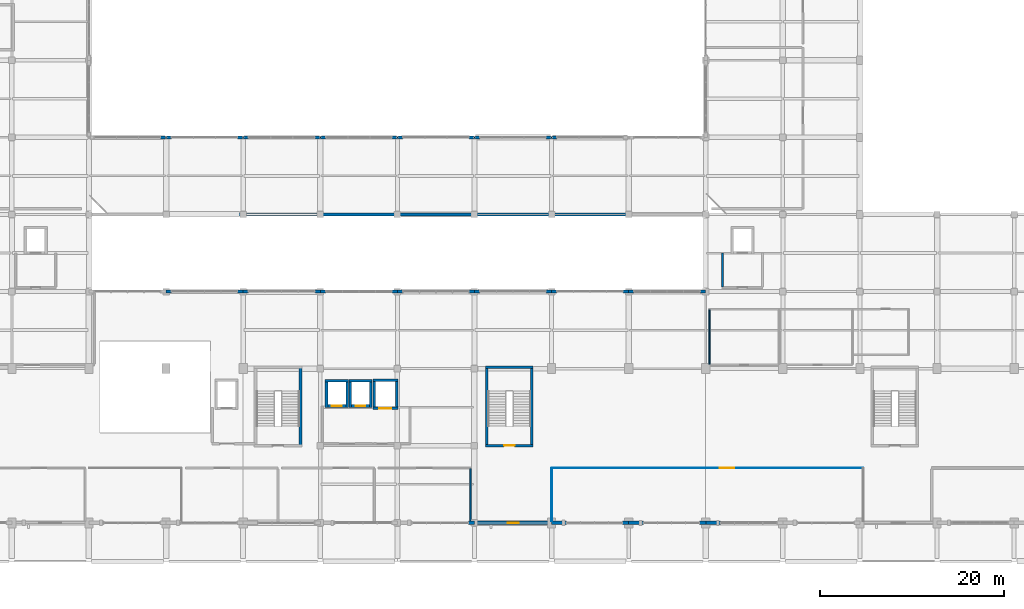
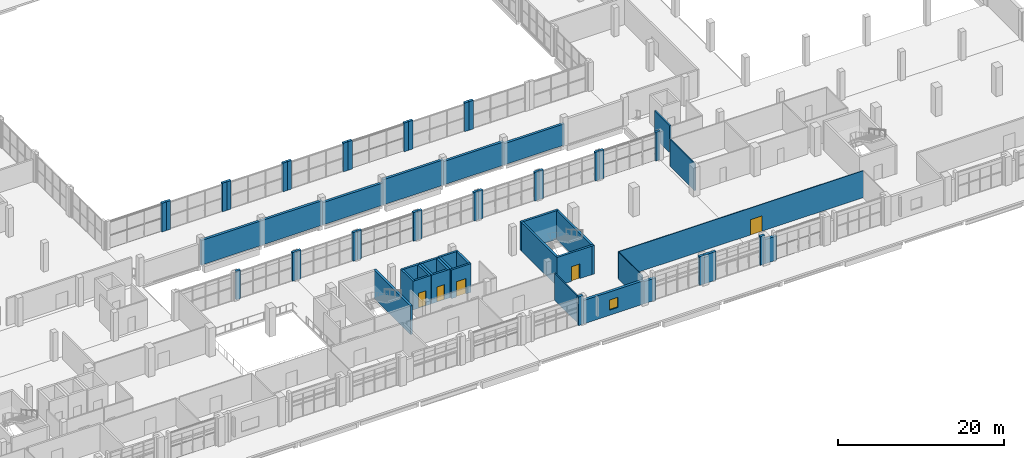
# One storey, part 49 of 59: 60 walls, 5 doors, 1 window, 6 openings.
"""IFC4 building model written with IfcOpenShell, lengths in metres."""

from ifc_helpers import new_model, si_unit, derived_unit, direction, frame, frame_2d, origin, place, context, subcontext, project, spatial, rectangle, extrude, material, layer, layer_set, type_object, element, fill, save


model = new_model("IFC4")

# Units and contexts
model_context = context("Model", 3, precision=1e-05, world=origin(), true_north=direction((0.0, 1.0)))
body_context = subcontext(model_context, "Body", "Model", "MODEL_VIEW")
ifc_project = project(units=[si_unit("LENGTHUNIT", "METRE"), si_unit("AREAUNIT", "SQUARE_METRE"), si_unit("VOLUMEUNIT", "CUBIC_METRE"), si_unit("PLANEANGLEUNIT", "RADIAN"), si_unit("MASSUNIT", "GRAM", prefix="KILO"), derived_unit("THERMALTRANSMITTANCEUNIT", [(si_unit("POWERUNIT", "WATT"), 1), (si_unit("LENGTHUNIT", "METRE"), -2), (si_unit("THERMODYNAMICTEMPERATUREUNIT", "KELVIN"), -1)])], contexts=[model_context])

# Site, building, storey
site_placement = place(None, origin())
site = spatial("IfcSite", under=ifc_project, at=site_placement, CompositionType="ELEMENT")
building_placement = place(site_placement, origin())
building = spatial("IfcBuilding", under=site, at=building_placement, Name="Barrovel Congress Hotel", CompositionType="ELEMENT")
storey_placement = place(building_placement, frame((0.0, 0.0, 9.89990234375)))
storey = spatial("IfcBuildingStorey", under=building, at=storey_placement, Name="L02", CompositionType="ELEMENT", Elevation=9.89990234375)

# Walls
ifc_material_1 = material(Name="Fired Clay Brick Masonry", Category="masonry")
ifc_layer_1 = layer(ifc_material_1, 0.340087890625)
ifc_layer_set_1 = layer_set([ifc_layer_1], Name="Fired Clay Brick Masonry")
wall_type_1 = type_object("IfcWallType", Name="EW-BRK340", PredefinedType="STANDARD", material=ifc_layer_set_1)
wall_1_placement = place(storey_placement, frame((126.0, 29.39990234375, 0.0), z_axis=(0.0, 0.0, 1.0), x_axis=(-1.0, 0.0, 0.0)))
element("IfcWall", 1, at=wall_1_placement, inside=storey, type_object=wall_type_1, Name="EW:L02:CSJ-R:14", PredefinedType="STANDARD", context=body_context, shape_type="SweptSolid", body=[
    extrude(rectangle(XDim=0.60009765625, YDim=0.340087890625, at=frame_2d((0.300048828125, 0.0))), origin(), (0.0, 0.0, 1.0), 4.2001953125),
])
wall_2_placement = place(storey_placement, frame((118.199951171875, 29.39990234375, 0.0), z_axis=(0.0, 0.0, 1.0), x_axis=(-1.0, 0.0, 0.0)))
element("IfcWall", 2, at=wall_2_placement, inside=storey, type_object=wall_type_1, Name="EW:L02:CSJ-L:14", PredefinedType="STANDARD", context=body_context, shape_type="SweptSolid", body=[
    extrude(rectangle(XDim=0.599853515625, YDim=0.340087890625, at=frame_2d((0.2998046875, 0.0))), origin(), (0.0, 0.0, 1.0), 4.2001953125),
])
for number, where, z_axis, x_axis, name in (
    (3, (117.60009765625, 29.39990234375, 0.0), (0.0, 0.0, 1.0), (-1.0, 0.0, 0.0), "EW:L02:CSJ-R:13"),
    (4, (109.800048828125, 29.39990234375, 0.0), (0.0, 0.0, 1.0), (-1.0, 0.0, 0.0), "EW:L02:CSJ-L:13"),
):
    element("IfcWall", number, at=place(storey_placement, frame(where, z_axis=z_axis, x_axis=x_axis)), inside=storey, type_object=wall_type_1, Name=name, PredefinedType="STANDARD", context=body_context, shape_type="SweptSolid", body=[
        extrude(rectangle(XDim=0.60009765625, YDim=0.340087890625, at=frame_2d((0.300048828125, 0.0))), origin(), (0.0, 0.0, 1.0), 4.2001953125),
    ])
for number, where, z_axis, x_axis, name in (
    (5, (109.199951171875, 29.39990234375, 0.0), (0.0, 0.0, 1.0), (-1.0, 0.0, 0.0), "EW:L02:CSJ-R:12"),
    (6, (101.39990234375, 29.39990234375, 0.0), (0.0, 0.0, 1.0), (-1.0, 0.0, 0.0), "EW:L02:CSJ-L:12"),
):
    element("IfcWall", number, at=place(storey_placement, frame(where, z_axis=z_axis, x_axis=x_axis)), inside=storey, type_object=wall_type_1, Name=name, PredefinedType="STANDARD", context=body_context, shape_type="SweptSolid", body=[
        extrude(rectangle(XDim=0.599853515625, YDim=0.340087890625, at=frame_2d((0.2998046875, 0.0))), origin(), (0.0, 0.0, 1.0), 4.2001953125),
    ])
for number, where, z_axis, x_axis, name in (
    (7, (100.800048828125, 29.39990234375, 0.0), (0.0, 0.0, 1.0), (-1.0, 0.0, 0.0), "EW:L02:CSJ-R:11"),
    (8, (93.0, 29.39990234375, 0.0), (0.0, 0.0, 1.0), (-1.0, 0.0, 0.0), "EW:L02:CSJ-L:11"),
):
    element("IfcWall", number, at=place(storey_placement, frame(where, z_axis=z_axis, x_axis=x_axis)), inside=storey, type_object=wall_type_1, Name=name, PredefinedType="STANDARD", context=body_context, shape_type="SweptSolid", body=[
        extrude(rectangle(XDim=0.60009765625, YDim=0.340087890625, at=frame_2d((0.300048828125, 0.0))), origin(), (0.0, 0.0, 1.0), 4.2001953125),
    ])
wall_3_placement = place(storey_placement, frame((92.39990234375, 29.39990234375, 0.0), z_axis=(0.0, 0.0, 1.0), x_axis=(-1.0, 0.0, 0.0)))
element("IfcWall", 9, at=wall_3_placement, inside=storey, type_object=wall_type_1, Name="EW:L02:CSJ-R:10", PredefinedType="STANDARD", context=body_context, shape_type="SweptSolid", body=[
    extrude(rectangle(XDim=0.599853515625, YDim=0.340087890625, at=frame_2d((0.2998046875, 0.0))), origin(), (0.0, 0.0, 1.0), 4.2001953125),
])
for number, where, z_axis, x_axis, name in (
    (10, (84.60009765625, 29.39990234375, 0.0), (0.0, 0.0, 1.0), (-1.0, 0.0, 0.0), "EW:L02:CSJ-L:10"),
    (11, (84.0, 29.39990234375, 0.0), (0.0, 0.0, 1.0), (-1.0, 0.0, 0.0), "EW:L02:CSJ-R:9"),
):
    element("IfcWall", number, at=place(storey_placement, frame(where, z_axis=z_axis, x_axis=x_axis)), inside=storey, type_object=wall_type_1, Name=name, PredefinedType="STANDARD", context=body_context, shape_type="SweptSolid", body=[
        extrude(rectangle(XDim=0.60009765625, YDim=0.340087890625, at=frame_2d((0.300048828125, 0.0))), origin(), (0.0, 0.0, 1.0), 4.2001953125),
    ])
wall_4_placement = place(storey_placement, frame((76.199951171875, 29.39990234375, 0.0), z_axis=(0.0, 0.0, 1.0), x_axis=(-1.0, 0.0, 0.0)))
element("IfcWall", 12, at=wall_4_placement, inside=storey, type_object=wall_type_1, Name="EW:L02:CSJ-L:9", PredefinedType="STANDARD", context=body_context, shape_type="SweptSolid", body=[
    extrude(rectangle(XDim=0.599853515625, YDim=0.340087890625, at=frame_2d((0.2998046875, 0.0))), origin(), (0.0, 0.0, 1.0), 4.2001953125),
])
for number, where, z_axis, x_axis, name in (
    (13, (75.60009765625, 29.39990234375, 0.0), (0.0, 0.0, 1.0), (-1.0, 0.0, 0.0), "EW:L02:CSJ-R:8"),
    (14, (67.800048828125, 29.39990234375, 0.0), (0.0, 0.0, 1.0), (-1.0, 0.0, 0.0), "EW:L02:CSJ-L:8"),
):
    element("IfcWall", number, at=place(storey_placement, frame(where, z_axis=z_axis, x_axis=x_axis)), inside=storey, type_object=wall_type_1, Name=name, PredefinedType="STANDARD", context=body_context, shape_type="SweptSolid", body=[
        extrude(rectangle(XDim=0.60009765625, YDim=0.340087890625, at=frame_2d((0.300048828125, 0.0))), origin(), (0.0, 0.0, 1.0), 4.2001953125),
    ])
wall_5_placement = place(storey_placement, frame((67.199951171875, 46.199951171875, 0.0), z_axis=(0.0, 0.0, 1.0), x_axis=(-1.0, 0.0, 0.0)))
element("IfcWall", 15, at=wall_5_placement, inside=storey, type_object=wall_type_1, Name="EW:L02:CLJ-L:7", PredefinedType="STANDARD", context=body_context, shape_type="SweptSolid", body=[
    extrude(rectangle(XDim=0.599853515625, YDim=0.340087890625, at=frame_2d((0.2998046875, 0.0))), origin(), (0.0, 0.0, 1.0), 4.2001953125),
])
for number, where, z_axis, x_axis, name in (
    (16, (75.60009765625, 46.199951171875, 0.0), (0.0, 0.0, 1.0), (-1.0, 0.0, 0.0), "EW:L02:CLJ-L:8"),
    (17, (67.800048828125, 46.199951171875, 0.0), (0.0, 0.0, 1.0), (-1.0, 0.0, 0.0), "EW:L02:CLJ-R:8"),
    (18, (84.0, 46.199951171875, 0.0), (0.0, 0.0, 1.0), (-1.0, 0.0, 0.0), "EW:L02:CLJ-L:9"),
):
    element("IfcWall", number, at=place(storey_placement, frame(where, z_axis=z_axis, x_axis=x_axis)), inside=storey, type_object=wall_type_1, Name=name, PredefinedType="STANDARD", context=body_context, shape_type="SweptSolid", body=[
        extrude(rectangle(XDim=0.60009765625, YDim=0.340087890625, at=frame_2d((0.300048828125, 0.0))), origin(), (0.0, 0.0, 1.0), 4.2001953125),
    ])
for number, where, z_axis, x_axis, name in (
    (19, (76.199951171875, 46.199951171875, 0.0), (0.0, 0.0, 1.0), (-1.0, 0.0, 0.0), "EW:L02:CLJ-R:9"),
    (20, (92.39990234375, 46.199951171875, 0.0), (0.0, 0.0, 1.0), (-1.0, 0.0, 0.0), "EW:L02:CLJ-L:10"),
):
    element("IfcWall", number, at=place(storey_placement, frame(where, z_axis=z_axis, x_axis=x_axis)), inside=storey, type_object=wall_type_1, Name=name, PredefinedType="STANDARD", context=body_context, shape_type="SweptSolid", body=[
        extrude(rectangle(XDim=0.599853515625, YDim=0.340087890625, at=frame_2d((0.2998046875, 0.0))), origin(), (0.0, 0.0, 1.0), 4.2001953125),
    ])
for number, where, z_axis, x_axis, name in (
    (21, (84.60009765625, 46.199951171875, 0.0), (0.0, 0.0, 1.0), (-1.0, 0.0, 0.0), "EW:L02:CLJ-R:10"),
    (22, (100.800048828125, 46.199951171875, 0.0), (0.0, 0.0, 1.0), (-1.0, 0.0, 0.0), "EW:L02:CLJ-L:11"),
    (23, (93.0, 46.199951171875, 0.0), (0.0, 0.0, 1.0), (-1.0, 0.0, 0.0), "EW:L02:CLJ-R:11"),
):
    element("IfcWall", number, at=place(storey_placement, frame(where, z_axis=z_axis, x_axis=x_axis)), inside=storey, type_object=wall_type_1, Name=name, PredefinedType="STANDARD", context=body_context, shape_type="SweptSolid", body=[
        extrude(rectangle(XDim=0.60009765625, YDim=0.340087890625, at=frame_2d((0.300048828125, 0.0))), origin(), (0.0, 0.0, 1.0), 4.2001953125),
    ])
for number, where, z_axis, x_axis, name in (
    (24, (109.199951171875, 46.199951171875, 0.0), (0.0, 0.0, 1.0), (-1.0, 0.0, 0.0), "EW:L02:CLJ-L:12"),
    (25, (101.39990234375, 46.199951171875, 0.0), (0.0, 0.0, 1.0), (-1.0, 0.0, 0.0), "EW:L02:CLJ-R:12"),
):
    element("IfcWall", number, at=place(storey_placement, frame(where, z_axis=z_axis, x_axis=x_axis)), inside=storey, type_object=wall_type_1, Name=name, PredefinedType="STANDARD", context=body_context, shape_type="SweptSolid", body=[
        extrude(rectangle(XDim=0.599853515625, YDim=0.340087890625, at=frame_2d((0.2998046875, 0.0))), origin(), (0.0, 0.0, 1.0), 4.2001953125),
    ])
wall_6_placement = place(storey_placement, frame((109.800048828125, 46.199951171875, 0.0), z_axis=(0.0, 0.0, 1.0), x_axis=(-1.0, 0.0, 0.0)))
element("IfcWall", 26, at=wall_6_placement, inside=storey, type_object=wall_type_1, Name="EW:L02:CLJ-R:13", PredefinedType="STANDARD", context=body_context, shape_type="SweptSolid", body=[
    extrude(rectangle(XDim=0.60009765625, YDim=0.340087890625, at=frame_2d((0.300048828125, 0.0))), origin(), (0.0, 0.0, 1.0), 4.2001953125),
])
wall_7_placement = place(storey_placement, frame((67.199951171875, 37.800048828125, 0.0), z_axis=(0.0, 0.0, 1.0), x_axis=(1.0, 0.0, 0.0)))
element("IfcWall", 27, at=wall_7_placement, inside=storey, type_object=wall_type_1, Name="EW:L02:CLS", PredefinedType="STANDARD", context=body_context, shape_type="SweptSolid", body=[
    extrude(rectangle(XDim=16.800048828125, YDim=0.340087890625, at=frame_2d((8.39990234375, 0.0))), origin(), (0.0, 0.0, 1.0), 3.606201171875),
])
wall_8_placement = place(storey_placement, frame((84.0, 37.800048828125, 0.0), z_axis=(0.0, 0.0, 1.0), x_axis=(1.0, 0.0, 0.0)))
element("IfcWall", 28, at=wall_8_placement, inside=storey, type_object=wall_type_1, Name="EW:L02:CLS:P03", PredefinedType="STANDARD", context=body_context, shape_type="SweptSolid", body=[
    extrude(rectangle(XDim=8.39990234375, YDim=0.340087890625, at=frame_2d((4.199951171875, 0.0))), origin(), (0.0, 0.0, 1.0), 3.260009765625),
])
wall_9_placement = place(storey_placement, frame((92.39990234375, 37.800048828125, 0.0), z_axis=(0.0, 0.0, 1.0), x_axis=(1.0, 0.0, 0.0)))
element("IfcWall", 29, at=wall_9_placement, inside=storey, type_object=wall_type_1, Name="EW:L02:CLS:P04", PredefinedType="STANDARD", context=body_context, shape_type="SweptSolid", body=[
    extrude(rectangle(XDim=8.400146484375, YDim=0.340087890625, at=frame_2d((4.2001953125, 0.0))), origin(), (0.0, 0.0, 1.0), 3.7060546875),
])
wall_10_placement = place(storey_placement, frame((100.800048828125, 37.800048828125, 0.0), z_axis=(0.0, 0.0, 1.0), x_axis=(1.0, 0.0, 0.0)))
element("IfcWall", 30, at=wall_10_placement, inside=storey, type_object=wall_type_1, Name="EW:L02:CLS:P05", PredefinedType="STANDARD", context=body_context, shape_type="SweptSolid", body=[
    extrude(rectangle(XDim=8.39990234375, YDim=0.340087890625, at=frame_2d((4.199951171875, 0.0))), origin(), (0.0, 0.0, 1.0), 3.427001953125),
])
wall_11_placement = place(storey_placement, frame((109.199951171875, 37.800048828125, 0.0), z_axis=(0.0, 0.0, 1.0), x_axis=(1.0, 0.0, 0.0)))
element("IfcWall", 31, at=wall_11_placement, inside=storey, type_object=wall_type_1, Name="EW:L02:CLS:P06", PredefinedType="STANDARD", context=body_context, shape_type="SweptSolid", body=[
    extrude(rectangle(XDim=8.400146484375, YDim=0.340087890625, at=frame_2d((4.2001953125, 0.0))), origin(), (0.0, 0.0, 1.0), 3.110107421875),
])
ifc_layer_2 = layer(ifc_material_1, 0.360107421875)
ifc_layer_set_2 = layer_set([ifc_layer_2], Name="Fired Clay Brick Masonry")
wall_type_2 = type_object("IfcWallType", Name="EW-BRK360", PredefinedType="STANDARD", material=ifc_layer_set_2)
wall_12_placement = place(storey_placement, frame((100.139892578125, 4.199951171875, 0.0), z_axis=(0.0, 0.0, 1.0), x_axis=(1.0, 0.0, 0.0)))
element("IfcWall", 32, at=wall_12_placement, inside=storey, type_object=wall_type_2, Name="EW:L02:SJ-R:11", PredefinedType="STANDARD", context=body_context, shape_type="SweptSolid", body=[
    extrude(rectangle(XDim=0.66015625, YDim=0.360107421875, at=frame_2d((0.330078125, 0.0))), origin(), (0.0, 0.0, 1.0), 4.2001953125),
])

# Wall, opening, window
wall_13_placement = place(storey_placement, frame((100.800048828125, 4.199951171875, 0.0), z_axis=(0.0, 0.0, 1.0), x_axis=(1.0, 0.0, 0.0)))
wall_13 = element("IfcWall", 33, at=wall_13_placement, inside=storey, type_object=wall_type_2, Name="EW:L02:S:12", PredefinedType="STANDARD", context=body_context, shape_type="SweptSolid", body=[
    extrude(rectangle(XDim=8.39990234375, YDim=0.360107421875, at=frame_2d((4.199951171875, 0.0))), origin(), (0.0, 0.0, 1.0), 3.43115234375),
])
opening_1_placement = place(wall_13_placement, frame((3.60009765625, 0.0, 0.75)))
opening_1 = element("IfcOpeningElement", 34, at=opening_1_placement, cuts=wall_13, Name="Opening WN-06", PredefinedType="OPENING", context=body_context, shape_type="SweptSolid", body=[
    extrude(rectangle(XDim=1.199951171875, YDim=1.5, at=frame_2d((0.60009765625, 0.75))), frame((0.0, 0.18994140625, 0.0), z_axis=(0.0, -1.0, 0.0), x_axis=(1.0, 0.0, 0.0)), (0.0, 0.0, 1.0), 0.380126953125),
])
ifc_material_2 = material(Name="Double Low-E Insulated Glazing", Category="glass")
window_type = type_object("IfcWindowType", Name="WIN-WN-06", PartitioningType="SINGLE_PANEL", PredefinedType="WINDOW", material=ifc_material_2)
window_placement = place(opening_1_placement, origin())
window = element("IfcWindow", 35, at=window_placement, inside=storey, type_object=window_type, Name="WIN:L02:S:12", OverallHeight=1.5, OverallWidth=1.199951171875, PartitioningType="SINGLE_PANEL", PredefinedType="WINDOW", context=body_context, shape_type="SweptSolid", body=[
    extrude(rectangle(XDim=1.199951171875, YDim=1.5, at=frame_2d((0.60009765625, 0.75))), frame((0.0, 0.030029296875, 0.0), z_axis=(0.0, -1.0, 0.0), x_axis=(1.0, 0.0, 0.0)), (0.0, 0.0, 1.0), 0.06005859375),
])
fill(opening_1, window)

# Walls
wall_14_placement = place(storey_placement, frame((109.199951171875, 4.199951171875, 0.0), z_axis=(0.0, 0.0, 1.0), x_axis=(1.0, 0.0, 0.0)))
element("IfcWall", 36, at=wall_14_placement, inside=storey, type_object=wall_type_2, Name="EW:L02:SJ-L:13", PredefinedType="STANDARD", context=body_context, shape_type="SweptSolid", body=[
    extrude(rectangle(XDim=1.6201171875, YDim=0.360107421875, at=frame_2d((0.81005859375, 0.0))), origin(), (0.0, 0.0, 1.0), 3.260009765625),
])
wall_15_placement = place(storey_placement, frame((116.93994140625, 4.199951171875, 0.0), z_axis=(0.0, 0.0, 1.0), x_axis=(1.0, 0.0, 0.0)))
element("IfcWall", 37, at=wall_15_placement, inside=storey, type_object=wall_type_2, Name="EW:L02:SJ-R:13", PredefinedType="STANDARD", context=body_context, shape_type="SweptSolid", body=[
    extrude(rectangle(XDim=0.66015625, YDim=0.360107421875, at=frame_2d((0.330078125, 0.0))), origin(), (0.0, 0.0, 1.0), 4.2001953125),
])
wall_16_placement = place(storey_placement, frame((117.60009765625, 4.199951171875, 0.0), z_axis=(0.0, 0.0, 1.0), x_axis=(1.0, 0.0, 0.0)))
element("IfcWall", 38, at=wall_16_placement, inside=storey, type_object=wall_type_2, Name="EW:L02:SJ-L:14", PredefinedType="STANDARD", context=body_context, shape_type="SweptSolid", body=[
    extrude(rectangle(XDim=1.619873046875, YDim=0.360107421875, at=frame_2d((0.81005859375, 0.0))), origin(), (0.0, 0.0, 1.0), 4.2001953125),
])
wall_17_placement = place(storey_placement, frame((125.340087890625, 4.199951171875, 0.0), z_axis=(0.0, 0.0, 1.0), x_axis=(1.0, 0.0, 0.0)))
element("IfcWall", 39, at=wall_17_placement, inside=storey, type_object=wall_type_2, Name="EW:L02:SJ-R:14", PredefinedType="STANDARD", context=body_context, shape_type="SweptSolid", body=[
    extrude(rectangle(XDim=0.659912109375, YDim=0.360107421875, at=frame_2d((0.330078125, 0.0))), origin(), (0.0, 0.0, 1.0), 4.2001953125),
])
wall_18_placement = place(storey_placement, frame((126.0, 4.199951171875, 0.0), z_axis=(0.0, 0.0, 1.0), x_axis=(1.0, 0.0, 0.0)))
element("IfcWall", 40, at=wall_18_placement, inside=storey, type_object=wall_type_2, Name="EW:L02:SJ-L:15", PredefinedType="STANDARD", context=body_context, shape_type="SweptSolid", body=[
    extrude(rectangle(XDim=1.6201171875, YDim=0.360107421875, at=frame_2d((0.81005859375, 0.0))), origin(), (0.0, 0.0, 1.0), 3.550048828125),
])
ifc_material_3 = material(Name="Gypsum Acoustic Stud", Category="gypsum")
ifc_layer_3 = layer(ifc_material_3, 0.179931640625)
ifc_layer_set_3 = layer_set([ifc_layer_3], Name="Gypsum Acoustic Stud")
wall_type_3 = type_object("IfcWallType", Name="PW-ACU-180", PredefinedType="PARTITIONING", material=ifc_layer_set_3)
wall_19_placement = place(storey_placement, frame((127.820068359375, 29.909912109375, 0.0), z_axis=(0.0, 0.0, 1.0), x_axis=(0.0, 1.0, 0.0)))
element("IfcWall", 41, at=wall_19_placement, inside=storey, type_object=wall_type_3, Name="RW:SP:L02:LL-CL2:W", PredefinedType="PARTITIONING", context=body_context, shape_type="SweptSolid", body=[
    extrude(rectangle(XDim=3.670166015625, YDim=0.179931640625, at=frame_2d((1.8349609375, 0.0))), origin(), (0.0, 0.0, 1.0), 3.955078125),
])

# Wall, opening, door
ifc_layer_4 = layer(ifc_material_3, 0.10009765625)
ifc_layer_set_4 = layer_set([ifc_layer_4], Name="Gypsum Acoustic Stud")
wall_type_4 = type_object("IfcWallType", Name="PW-LGT-100", PredefinedType="PARTITIONING", material=ifc_layer_set_4)
wall_20_placement = place(storey_placement, frame((109.219970703125, 10.179931640625, 0.0), z_axis=(0.0, 0.0, 1.0), x_axis=(1.0, 0.0, 0.0)))
wall_20 = element("IfcWall", 42, at=wall_20_placement, inside=storey, type_object=wall_type_4, Name="RW:SP:L02:CONF-A:N", PredefinedType="PARTITIONING", context=body_context, shape_type="SweptSolid", body=[
    extrude(rectangle(XDim=33.9599609375, YDim=0.10009765625, at=frame_2d((16.97998046875, 0.0))), origin(), (0.0, 0.0, 1.0), 3.955078125),
])
opening_2_placement = place(wall_20_placement, frame((18.280029296875, 0.0, 0.0)))
opening_2 = element("IfcOpeningElement", 43, at=opening_2_placement, cuts=wall_20, Name="Opening ID-MTG", PredefinedType="OPENING", context=body_context, shape_type="SweptSolid", body=[
    extrude(rectangle(XDim=1.60009765625, YDim=2.25, at=frame_2d((0.800048828125, 1.125))), frame((0.0, 0.06005859375, 0.0), z_axis=(0.0, -1.0, 0.0), x_axis=(1.0, 0.0, 0.0)), (0.0, 0.0, 1.0), 0.1201171875),
])
ifc_material_4 = material(Name="Solid Oak Acoustic Timber Door", Category="wood")
door_type_1 = type_object("IfcDoorType", Name="IDR-ID-MTG", OperationType="NOTDEFINED", PredefinedType="DOOR", material=ifc_material_4)
door_1_placement = place(opening_2_placement, origin())
door_1 = element("IfcDoor", 44, at=door_1_placement, inside=storey, type_object=door_type_1, Name="RD:SP:L02:CONF-A", OperationType="DOUBLE_DOOR_SINGLE_SWING", OverallHeight=2.25, OverallWidth=1.60009765625, PredefinedType="DOOR", context=body_context, shape_type="SweptSolid", body=[
    extrude(rectangle(XDim=1.60009765625, YDim=2.25, at=frame_2d((0.800048828125, 1.125))), frame((0.0, 0.02490234375, 0.0), z_axis=(0.0, -1.0, 0.0), x_axis=(1.0, 0.0, 0.0)), (0.0, 0.0, 1.0), 0.050048828125),
])
fill(opening_2, door_1)

# Walls
wall_21_placement = place(storey_placement, frame((109.219970703125, 4.3798828125, 0.0), z_axis=(0.0, 0.0, 1.0), x_axis=(0.0, 1.0, 0.0)))
element("IfcWall", 45, at=wall_21_placement, inside=storey, type_object=wall_type_4, Name="RW:SP:L02:CONF-A:W", PredefinedType="PARTITIONING", context=body_context, shape_type="SweptSolid", body=[
    extrude(rectangle(XDim=5.75, YDim=0.10009765625, at=frame_2d((2.875, 0.0))), origin(), (0.0, 0.0, 1.0), 3.955078125),
])
ifc_layer_5 = layer(ifc_material_3, 0.14990234375)
ifc_layer_set_5 = layer_set([ifc_layer_5], Name="Gypsum Acoustic Stud")
wall_type_5 = type_object("IfcWallType", Name="PW-STD-150", PredefinedType="PARTITIONING", material=ifc_layer_set_5)
wall_22_placement = place(storey_placement, frame((100.3798828125, 4.3798828125, 0.0), z_axis=(0.0, 0.0, 1.0), x_axis=(0.0, 1.0, 0.0)))
element("IfcWall", 46, at=wall_22_placement, inside=storey, type_object=wall_type_5, Name="RW:SP:L02:BM-16:E", PredefinedType="PARTITIONING", context=body_context, shape_type="SweptSolid", body=[
    extrude(rectangle(XDim=5.72509765625, YDim=0.14990234375, at=frame_2d((2.862548828125, 0.0))), origin(), (0.0, 0.0, 1.0), 3.955078125),
])
ifc_material_5 = material(Name="Gypsum Moisture Board", Category="gypsum")
ifc_layer_6 = layer(ifc_material_5, 0.139892578125)
ifc_layer_set_6 = layer_set([ifc_layer_6], Name="Gypsum Moisture Board")
wall_type_6 = type_object("IfcWallType", Name="PW-WET-140", PredefinedType="PARTITIONING", material=ifc_layer_set_6)
wall_23_placement = place(storey_placement, frame((126.419921875, 21.489990234375, 0.0), z_axis=(0.0, 0.0, 1.0), x_axis=(0.0, 1.0, 0.0)))
element("IfcWall", 47, at=wall_23_placement, inside=storey, type_object=wall_type_6, Name="RW:SP:L02:WC-M2:W", PredefinedType="PARTITIONING", context=body_context, shape_type="SweptSolid", body=[
    extrude(rectangle(XDim=5.919921875, YDim=0.139892578125, at=frame_2d((2.9599609375, 0.0))), origin(), (0.0, 0.0, 1.0), 3.955078125),
])

# Wall, opening, door
ifc_material_6 = material(Name="Concrete C40", Category="concrete")
ifc_layer_7 = layer(ifc_material_6, 0.280029296875)
ifc_layer_set_7 = layer_set([ifc_layer_7], Name="Concrete C40")
wall_type_7 = type_object("IfcWallType", Name="SW-C40-280", PredefinedType="SHEAR", material=ifc_layer_set_7)
wall_24_placement = place(storey_placement, frame((84.5400390625, 16.929931640625, 0.0), z_axis=(0.0, 0.0, 1.0), x_axis=(1.0, 0.0, 0.0)))
wall_24 = element("IfcWall", 48, at=wall_24_placement, inside=storey, type_object=wall_type_7, Name="LSH:PL-3:L02:S", PredefinedType="SHEAR", context=body_context, shape_type="SweptSolid", body=[
    extrude(rectangle(XDim=2.52001953125, YDim=0.280029296875, at=frame_2d((1.260009765625, 0.0))), origin(), (0.0, 0.0, 1.0), 4.2001953125),
])
opening_3_placement = place(wall_24_placement, frame((0.735107421875, 0.0, 0.0)))
opening_3 = element("IfcOpeningElement", 49, at=opening_3_placement, cuts=wall_24, Name="Opening LD-PAX", PredefinedType="OPENING", context=body_context, shape_type="SweptSolid", body=[
    extrude(rectangle(XDim=1.050048828125, YDim=2.199951171875, at=frame_2d((0.52490234375, 1.10009765625))), frame((0.0, 0.14990234375, 0.0), z_axis=(0.0, -1.0, 0.0), x_axis=(1.0, 0.0, 0.0)), (0.0, 0.0, 1.0), 0.300048828125),
])
ifc_material_7 = material(Name="Brushed Stainless Steel", Category="steel")
door_type_2 = type_object("IfcDoorType", Name="IDR-LD-PAX", OperationType="NOTDEFINED", PredefinedType="DOOR", material=ifc_material_7)
door_2_placement = place(opening_3_placement, origin())
door_2 = element("IfcDoor", 50, at=door_2_placement, inside=storey, type_object=door_type_2, Name="Lift Landing Door LD-PL-3-L02", OperationType="SLIDING_TO_LEFT", OverallHeight=2.199951171875, OverallWidth=1.050048828125, PredefinedType="DOOR", context=body_context, shape_type="SweptSolid", body=[
    extrude(rectangle(XDim=1.050048828125, YDim=2.199951171875, at=frame_2d((0.52490234375, 1.10009765625))), frame((0.0, 0.02490234375, 0.0), z_axis=(0.0, -1.0, 0.0), x_axis=(1.0, 0.0, 0.0)), (0.0, 0.0, 1.0), 0.050048828125),
])
fill(opening_3, door_2)

# Walls
wall_25_placement = place(storey_placement, frame((86.919921875, 16.7900390625, 0.0), z_axis=(0.0, 0.0, 1.0), x_axis=(0.0, 1.0, 0.0)))
element("IfcWall", 51, at=wall_25_placement, inside=storey, type_object=wall_type_7, Name="LSH:PL-3:L02:E", PredefinedType="SHEAR", context=body_context, shape_type="SweptSolid", body=[
    extrude(rectangle(XDim=3.02001953125, YDim=0.280029296875, at=frame_2d((1.510009765625, 0.0))), origin(), (0.0, 0.0, 1.0), 4.2001953125),
])
wall_26_placement = place(storey_placement, frame((87.06005859375, 19.669921875, 0.0), z_axis=(0.0, 0.0, 1.0), x_axis=(-1.0, 0.0, 0.0)))
element("IfcWall", 52, at=wall_26_placement, inside=storey, type_object=wall_type_7, Name="LSH:PL-3:L02:N", PredefinedType="SHEAR", context=body_context, shape_type="SweptSolid", body=[
    extrude(rectangle(XDim=2.52001953125, YDim=0.280029296875, at=frame_2d((1.260009765625, 0.0))), origin(), (0.0, 0.0, 1.0), 4.2001953125),
])
wall_27_placement = place(storey_placement, frame((84.679931640625, 19.81005859375, 0.0), z_axis=(0.0, 0.0, 1.0), x_axis=(0.0, -1.0, 0.0)))
element("IfcWall", 53, at=wall_27_placement, inside=storey, type_object=wall_type_7, Name="LSH:PL-3:L02:W", PredefinedType="SHEAR", context=body_context, shape_type="SweptSolid", body=[
    extrude(rectangle(XDim=3.02001953125, YDim=0.280029296875, at=frame_2d((1.510009765625, 0.0))), origin(), (0.0, 0.0, 1.0), 4.2001953125),
])

# Wall, opening, door
wall_28_placement = place(storey_placement, frame((87.139892578125, 16.929931640625, 0.0), z_axis=(0.0, 0.0, 1.0), x_axis=(1.0, 0.0, 0.0)))
wall_28 = element("IfcWall", 54, at=wall_28_placement, inside=storey, type_object=wall_type_7, Name="LSH:PL-4:L02:S", PredefinedType="SHEAR", context=body_context, shape_type="SweptSolid", body=[
    extrude(rectangle(XDim=2.52001953125, YDim=0.280029296875, at=frame_2d((1.260009765625, 0.0))), origin(), (0.0, 0.0, 1.0), 4.2001953125),
])
opening_4_placement = place(wall_28_placement, frame((0.735107421875, 0.0, 0.0)))
opening_4 = element("IfcOpeningElement", 55, at=opening_4_placement, cuts=wall_28, Name="Opening LD-PAX", PredefinedType="OPENING", context=body_context, shape_type="SweptSolid", body=[
    extrude(rectangle(XDim=1.050048828125, YDim=2.199951171875, at=frame_2d((0.52490234375, 1.10009765625))), frame((0.0, 0.14990234375, 0.0), z_axis=(0.0, -1.0, 0.0), x_axis=(1.0, 0.0, 0.0)), (0.0, 0.0, 1.0), 0.300048828125),
])
door_3_placement = place(opening_4_placement, origin())
door_3 = element("IfcDoor", 56, at=door_3_placement, inside=storey, type_object=door_type_2, Name="Lift Landing Door LD-PL-4-L02", OperationType="SLIDING_TO_LEFT", OverallHeight=2.199951171875, OverallWidth=1.050048828125, PredefinedType="DOOR", context=body_context, shape_type="SweptSolid", body=[
    extrude(rectangle(XDim=1.050048828125, YDim=2.199951171875, at=frame_2d((0.52490234375, 1.10009765625))), frame((0.0, 0.02490234375, 0.0), z_axis=(0.0, -1.0, 0.0), x_axis=(1.0, 0.0, 0.0)), (0.0, 0.0, 1.0), 0.050048828125),
])
fill(opening_4, door_3)

# Walls
wall_29_placement = place(storey_placement, frame((89.52001953125, 16.7900390625, 0.0), z_axis=(0.0, 0.0, 1.0), x_axis=(0.0, 1.0, 0.0)))
element("IfcWall", 57, at=wall_29_placement, inside=storey, type_object=wall_type_7, Name="LSH:PL-4:L02:E", PredefinedType="SHEAR", context=body_context, shape_type="SweptSolid", body=[
    extrude(rectangle(XDim=3.02001953125, YDim=0.280029296875, at=frame_2d((1.510009765625, 0.0))), origin(), (0.0, 0.0, 1.0), 4.2001953125),
])
wall_30_placement = place(storey_placement, frame((89.659912109375, 19.669921875, 0.0), z_axis=(0.0, 0.0, 1.0), x_axis=(-1.0, 0.0, 0.0)))
element("IfcWall", 58, at=wall_30_placement, inside=storey, type_object=wall_type_7, Name="LSH:PL-4:L02:N", PredefinedType="SHEAR", context=body_context, shape_type="SweptSolid", body=[
    extrude(rectangle(XDim=2.52001953125, YDim=0.280029296875, at=frame_2d((1.260009765625, 0.0))), origin(), (0.0, 0.0, 1.0), 4.2001953125),
])
wall_31_placement = place(storey_placement, frame((87.280029296875, 19.81005859375, 0.0), z_axis=(0.0, 0.0, 1.0), x_axis=(0.0, -1.0, 0.0)))
element("IfcWall", 59, at=wall_31_placement, inside=storey, type_object=wall_type_7, Name="LSH:PL-4:L02:W", PredefinedType="SHEAR", context=body_context, shape_type="SweptSolid", body=[
    extrude(rectangle(XDim=3.02001953125, YDim=0.280029296875, at=frame_2d((1.510009765625, 0.0))), origin(), (0.0, 0.0, 1.0), 4.2001953125),
])

# Wall, opening, door
wall_32_placement = place(storey_placement, frame((89.739990234375, 16.679931640625, 0.0), z_axis=(0.0, 0.0, 1.0), x_axis=(1.0, 0.0, 0.0)))
wall_32 = element("IfcWall", 60, at=wall_32_placement, inside=storey, type_object=wall_type_7, Name="LSH:SL-2:L02:S", PredefinedType="SHEAR", context=body_context, shape_type="SweptSolid", body=[
    extrude(rectangle(XDim=2.719970703125, YDim=0.280029296875, at=frame_2d((1.35986328125, 0.0))), origin(), (0.0, 0.0, 1.0), 4.2001953125),
])
opening_5_placement = place(wall_32_placement, frame((0.7099609375, 0.0, 0.0)))
opening_5 = element("IfcOpeningElement", 61, at=opening_5_placement, cuts=wall_32, Name="Opening LD-SRV", PredefinedType="OPENING", context=body_context, shape_type="SweptSolid", body=[
    extrude(rectangle(XDim=1.300048828125, YDim=2.25, at=frame_2d((0.64990234375, 1.125))), frame((0.0, 0.14990234375, 0.0), z_axis=(0.0, -1.0, 0.0), x_axis=(1.0, 0.0, 0.0)), (0.0, 0.0, 1.0), 0.300048828125),
])
door_type_3 = type_object("IfcDoorType", Name="IDR-LD-SRV", OperationType="NOTDEFINED", PredefinedType="DOOR", material=ifc_material_7)
door_4_placement = place(opening_5_placement, origin())
door_4 = element("IfcDoor", 62, at=door_4_placement, inside=storey, type_object=door_type_3, Name="Lift Landing Door LD-SL-2-L02", OperationType="SLIDING_TO_LEFT", OverallHeight=2.25, OverallWidth=1.300048828125, PredefinedType="DOOR", context=body_context, shape_type="SweptSolid", body=[
    extrude(rectangle(XDim=1.300048828125, YDim=2.25, at=frame_2d((0.64990234375, 1.125))), frame((0.0, 0.02490234375, 0.0), z_axis=(0.0, -1.0, 0.0), x_axis=(1.0, 0.0, 0.0)), (0.0, 0.0, 1.0), 0.050048828125),
])
fill(opening_5, door_4)

# Walls
wall_33_placement = place(storey_placement, frame((92.320068359375, 16.5400390625, 0.0), z_axis=(0.0, 0.0, 1.0), x_axis=(0.0, 1.0, 0.0)))
element("IfcWall", 63, at=wall_33_placement, inside=storey, type_object=wall_type_7, Name="LSH:SL-2:L02:E", PredefinedType="SHEAR", context=body_context, shape_type="SweptSolid", body=[
    extrude(rectangle(XDim=3.320068359375, YDim=0.280029296875, at=frame_2d((1.66015625, 0.0))), origin(), (0.0, 0.0, 1.0), 4.2001953125),
])
wall_34_placement = place(storey_placement, frame((92.4599609375, 19.719970703125, 0.0), z_axis=(0.0, 0.0, 1.0), x_axis=(-1.0, 0.0, 0.0)))
element("IfcWall", 64, at=wall_34_placement, inside=storey, type_object=wall_type_7, Name="LSH:SL-2:L02:N", PredefinedType="SHEAR", context=body_context, shape_type="SweptSolid", body=[
    extrude(rectangle(XDim=2.719970703125, YDim=0.280029296875, at=frame_2d((1.35986328125, 0.0))), origin(), (0.0, 0.0, 1.0), 4.2001953125),
])
wall_35_placement = place(storey_placement, frame((89.8798828125, 19.860107421875, 0.0), z_axis=(0.0, 0.0, 1.0), x_axis=(0.0, -1.0, 0.0)))
element("IfcWall", 65, at=wall_35_placement, inside=storey, type_object=wall_type_7, Name="LSH:SL-2:L02:W", PredefinedType="SHEAR", context=body_context, shape_type="SweptSolid", body=[
    extrude(rectangle(XDim=3.320068359375, YDim=0.280029296875, at=frame_2d((1.66015625, 0.0))), origin(), (0.0, 0.0, 1.0), 4.2001953125),
])
ifc_layer_8 = layer(ifc_material_6, 0.300048828125)
ifc_layer_set_8 = layer_set([ifc_layer_8], Name="Concrete C40")
wall_type_8 = type_object("IfcWallType", Name="SW-C40-300", PredefinedType="SHEAR", material=ifc_layer_set_8)
wall_36_placement = place(storey_placement, frame((81.85009765625, 12.4599609375, 0.0), z_axis=(0.0, 0.0, 1.0), x_axis=(0.0, 1.0, 0.0)))
element("IfcWall", 66, at=wall_36_placement, inside=storey, type_object=wall_type_8, Name="SHW:XS-02:L02:E", PredefinedType="SHEAR", context=body_context, shape_type="SweptSolid", body=[
    extrude(rectangle(XDim=8.840087890625, YDim=0.300048828125, at=frame_2d((4.419921875, 0.0))), origin(), (0.0, 0.0, 1.0), 4.2001953125),
])

# Wall, opening, door
wall_37_placement = place(storey_placement, frame((102.0, 12.610107421875, 0.0), z_axis=(0.0, 0.0, 1.0), x_axis=(1.0, 0.0, 0.0)))
wall_37 = element("IfcWall", 67, at=wall_37_placement, inside=storey, type_object=wall_type_8, Name="SHW:XS-03:L02:S", PredefinedType="SHEAR", context=body_context, shape_type="SweptSolid", body=[
    extrude(rectangle(XDim=5.199951171875, YDim=0.300048828125, at=frame_2d((2.60009765625, 0.0))), origin(), (0.0, 0.0, 1.0), 4.2001953125),
])
opening_6_placement = place(wall_37_placement, frame((2.02490234375, 0.0, 0.0)))
opening_6 = element("IfcOpeningElement", 68, at=opening_6_placement, cuts=wall_37, Name="Opening ID-ST1", PredefinedType="OPENING", context=body_context, shape_type="SweptSolid", body=[
    extrude(rectangle(XDim=1.14990234375, YDim=2.14990234375, at=frame_2d((0.574951171875, 1.074951171875))), frame((0.0, 0.16015625, 0.0), z_axis=(0.0, -1.0, 0.0), x_axis=(1.0, 0.0, 0.0)), (0.0, 0.0, 1.0), 0.320068359375),
])
ifc_material_8 = material(Name="Painted Hollow-Metal Steel Door", Category="steel")
door_type_4 = type_object("IfcDoorType", Name="IDR-ID-ST1", OperationType="NOTDEFINED", PredefinedType="DOOR", material=ifc_material_8)
door_5_placement = place(opening_6_placement, origin())
door_5 = element("IfcDoor", 69, at=door_5_placement, inside=storey, type_object=door_type_4, Name="Stair Core Fire Door XS-03-L02", OperationType="SINGLE_SWING_RIGHT", OverallHeight=2.14990234375, OverallWidth=1.14990234375, PredefinedType="DOOR", context=body_context, shape_type="SweptSolid", body=[
    extrude(rectangle(XDim=1.14990234375, YDim=2.14990234375, at=frame_2d((0.574951171875, 1.074951171875))), frame((0.0, 0.02490234375, 0.0), z_axis=(0.0, -1.0, 0.0), x_axis=(1.0, 0.0, 0.0)), (0.0, 0.0, 1.0), 0.050048828125),
])
fill(opening_6, door_5)

# Walls
wall_38_placement = place(storey_placement, frame((107.050048828125, 12.4599609375, 0.0), z_axis=(0.0, 0.0, 1.0), x_axis=(0.0, 1.0, 0.0)))
element("IfcWall", 70, at=wall_38_placement, inside=storey, type_object=wall_type_8, Name="SHW:XS-03:L02:E", PredefinedType="SHEAR", context=body_context, shape_type="SweptSolid", body=[
    extrude(rectangle(XDim=8.840087890625, YDim=0.300048828125, at=frame_2d((4.419921875, 0.0))), origin(), (0.0, 0.0, 1.0), 4.2001953125),
])
wall_39_placement = place(storey_placement, frame((107.199951171875, 21.14990234375, 0.0), z_axis=(0.0, 0.0, 1.0), x_axis=(-1.0, 0.0, 0.0)))
element("IfcWall", 71, at=wall_39_placement, inside=storey, type_object=wall_type_8, Name="SHW:XS-03:L02:N", PredefinedType="SHEAR", context=body_context, shape_type="SweptSolid", body=[
    extrude(rectangle(XDim=5.199951171875, YDim=0.300048828125, at=frame_2d((2.60009765625, 0.0))), origin(), (0.0, 0.0, 1.0), 4.2001953125),
])
wall_40_placement = place(storey_placement, frame((102.14990234375, 21.300048828125, 0.0), z_axis=(0.0, 0.0, 1.0), x_axis=(0.0, -1.0, 0.0)))
element("IfcWall", 72, at=wall_40_placement, inside=storey, type_object=wall_type_8, Name="SHW:XS-03:L02:W", PredefinedType="SHEAR", context=body_context, shape_type="SweptSolid", body=[
    extrude(rectangle(XDim=8.840087890625, YDim=0.300048828125, at=frame_2d((4.419921875, 0.0))), origin(), (0.0, 0.0, 1.0), 4.2001953125),
])

save(model, "model.ifc")
